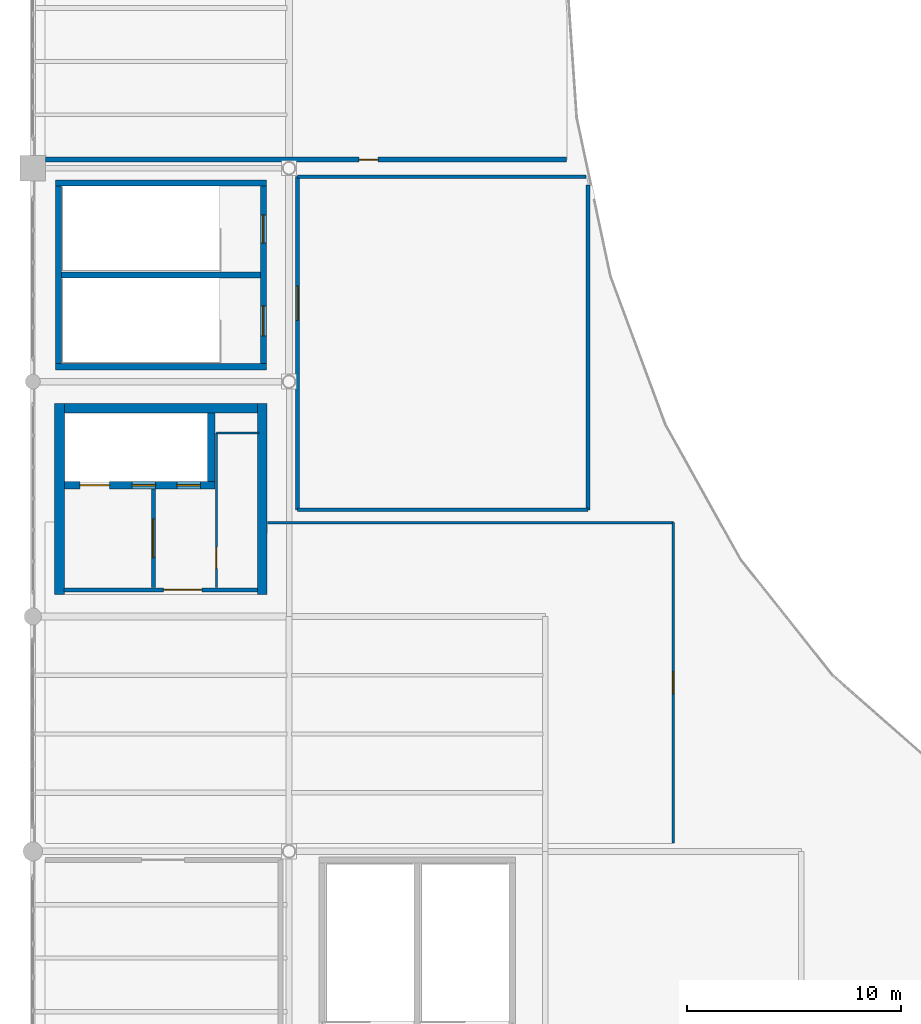
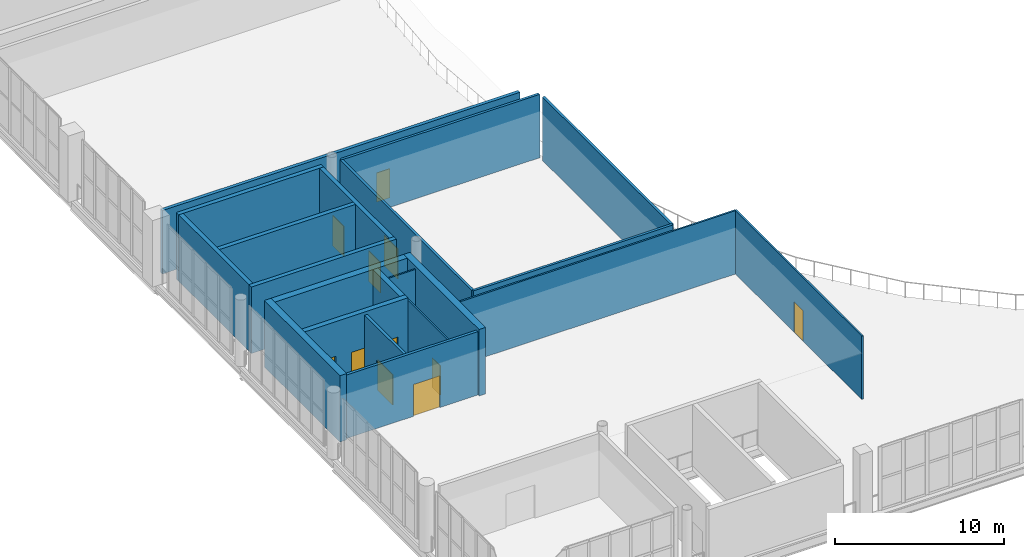
# One storey, part 37 of 49: 21 walls, 11 doors, 11 openings.
"""IFC4 building model written with IfcOpenShell, lengths in metres."""

from ifc_helpers import new_model, si_unit, direction, frame, frame_2d, origin, place, context, subcontext, project, spatial, rectangle, extrude, material, layer, layer_set, type_object, element, fill, save


model = new_model("IFC4")

# Units and contexts
model_context = context("Model", 3, precision=1e-05, world=origin(), true_north=direction((0.0, 1.0)))
body_context = subcontext(model_context, "Body", "Model", "MODEL_VIEW")
ifc_project = project(units=[si_unit("LENGTHUNIT", "METRE"), si_unit("AREAUNIT", "SQUARE_METRE"), si_unit("VOLUMEUNIT", "CUBIC_METRE"), si_unit("PLANEANGLEUNIT", "RADIAN"), si_unit("MASSUNIT", "GRAM", prefix="KILO")], contexts=[model_context])

# Site, building, storey
site_placement = place(None, origin())
site = spatial("IfcSite", under=ifc_project, at=site_placement, CompositionType="ELEMENT")
building_placement = place(site_placement, origin())
building = spatial("IfcBuilding", under=site, at=building_placement, Name="Brinegate Civic Arena", CompositionType="ELEMENT")
storey_placement = place(building_placement, frame((0.0, 0.0, 24.60009765625)))
storey = spatial("IfcBuildingStorey", under=building, at=storey_placement, Name="L05", CompositionType="ELEMENT", Elevation=24.60009765625)

# Wall, openings, doors
ifc_material_1 = material(Name="Concrete C50/60", Category="concrete")
ifc_layer_1 = layer(ifc_material_1, 0.35009765625, Name="Concrete C50/60")
ifc_layer_set_1 = layer_set([ifc_layer_1], Name="Concrete C50/60")
wall_type_1 = type_object("IfcWallType", Name="WALL-CORE-SHEAR-350", PredefinedType="SHEAR", material=ifc_layer_set_1)
wall_1_placement = place(storey_placement, frame((49.47509765625, 37.14990234375, 0.0), z_axis=(0.0, 0.0, 1.0), x_axis=(1.0, 0.0, 0.0)))
wall_1 = element("IfcWall", 1, at=wall_1_placement, inside=storey, type_object=wall_type_1, Name="Core K2 Lift Shaft Front Wall L05 (WBG-39)", PredefinedType="SHEAR", context=body_context, shape_type="SweptSolid", body=[
    extrude(rectangle(XDim=7.0498046875, YDim=0.35009765625, at=frame_2d((3.52490234375, 0.0))), origin(), (0.0, 0.0, 1.0), 4.7998046875),
])
opening_1_placement = place(wall_1_placement, frame((0.72509765625, 0.0, 0.0)))
opening_1 = element("IfcOpeningElement", 2, at=opening_1_placement, cuts=wall_1, Name="Opening LD-FL2-L05", PredefinedType="OPENING", context=body_context, shape_type="SweptSolid", body=[
    extrude(rectangle(XDim=1.39990234375, YDim=2.300048828125, at=frame_2d((0.699951171875, 1.14990234375))), frame((0.0, 0.18505859375, 0.0), z_axis=(0.0, -1.0, 0.0), x_axis=(1.0, 0.0, 0.0)), (0.0, 0.0, 1.0), 0.3701171875),
])
opening_2_placement = place(wall_1_placement, frame((3.175048828125, 0.0, 0.0)))
opening_2 = element("IfcOpeningElement", 3, at=opening_2_placement, cuts=wall_1, Name="Opening LD-PL3-L05", PredefinedType="OPENING", context=body_context, shape_type="SweptSolid", body=[
    extrude(rectangle(XDim=1.10009765625, YDim=2.199951171875, at=frame_2d((0.550048828125, 1.10009765625))), frame((0.0, 0.18505859375, 0.0), z_axis=(0.0, -1.0, 0.0), x_axis=(1.0, 0.0, 0.0)), (0.0, 0.0, 1.0), 0.3701171875),
])
opening_3_placement = place(wall_1_placement, frame((5.27490234375, 0.0, 0.0)))
opening_3 = element("IfcOpeningElement", 4, at=opening_3_placement, cuts=wall_1, Name="Opening LD-PL4-L05", PredefinedType="OPENING", context=body_context, shape_type="SweptSolid", body=[
    extrude(rectangle(XDim=1.10009765625, YDim=2.199951171875, at=frame_2d((0.550048828125, 1.10009765625))), frame((0.0, 0.18505859375, 0.0), z_axis=(0.0, -1.0, 0.0), x_axis=(1.0, 0.0, 0.0)), (0.0, 0.0, 1.0), 0.3701171875),
])
ifc_material_2 = material(Name="Architectural stainless steel balustrade", Category="steel")
door_type_1 = type_object("IfcDoorType", Name="DOOR-LIFT-1100X2200", OperationType="SLIDING_TO_LEFT", PredefinedType="DOOR", material=ifc_material_2)
door_1_placement = place(opening_2_placement, origin())
door_1 = element("IfcDoor", 5, at=door_1_placement, inside=storey, type_object=door_type_1, Name="Sliding Lift Landing Door LD-PL3-L05", OperationType="SLIDING_TO_LEFT", OverallHeight=2.199951171875, OverallWidth=1.10009765625, PredefinedType="DOOR", context=body_context, shape_type="SweptSolid", body=[
    extrude(rectangle(XDim=1.10009765625, YDim=2.199951171875, at=frame_2d((0.550048828125, 1.10009765625))), frame((0.0, 0.02490234375, 0.0), z_axis=(0.0, -1.0, 0.0), x_axis=(1.0, 0.0, 0.0)), (0.0, 0.0, 1.0), 0.050048828125),
])
fill(opening_2, door_1)
door_2_placement = place(opening_3_placement, origin())
door_2 = element("IfcDoor", 6, at=door_2_placement, inside=storey, type_object=door_type_1, Name="Sliding Lift Landing Door LD-PL4-L05", OperationType="SLIDING_TO_LEFT", OverallHeight=2.199951171875, OverallWidth=1.10009765625, PredefinedType="DOOR", context=body_context, shape_type="SweptSolid", body=[
    extrude(rectangle(XDim=1.10009765625, YDim=2.199951171875, at=frame_2d((0.550048828125, 1.10009765625))), frame((0.0, 0.02490234375, 0.0), z_axis=(0.0, -1.0, 0.0), x_axis=(1.0, 0.0, 0.0)), (0.0, 0.0, 1.0), 0.050048828125),
])
fill(opening_3, door_2)
door_type_2 = type_object("IfcDoorType", Name="DOOR-LIFT-1400X2300", OperationType="SLIDING_TO_LEFT", PredefinedType="DOOR", material=ifc_material_2)
door_3_placement = place(opening_1_placement, origin())
door_3 = element("IfcDoor", 7, at=door_3_placement, inside=storey, type_object=door_type_2, Name="Sliding Lift Landing Door LD-FL2-L05", OperationType="SLIDING_TO_LEFT", OverallHeight=2.300048828125, OverallWidth=1.39990234375, PredefinedType="DOOR", context=body_context, shape_type="SweptSolid", body=[
    extrude(rectangle(XDim=1.39990234375, YDim=2.300048828125, at=frame_2d((0.699951171875, 1.14990234375))), frame((0.0, 0.02490234375, 0.0), z_axis=(0.0, -1.0, 0.0), x_axis=(1.0, 0.0, 0.0)), (0.0, 0.0, 1.0), 0.050048828125),
])
fill(opening_1, door_3)

# Walls
wall_2_placement = place(storey_placement, frame((56.35009765625, 37.324951171875, 0.0), z_axis=(0.0, 0.0, 1.0), x_axis=(0.0, 1.0, 0.0)))
element("IfcWall", 8, at=wall_2_placement, inside=storey, type_object=wall_type_1, Name="Core K2 Lift Shaft End Wall L05 (WBG-40)", PredefinedType="SHEAR", context=body_context, shape_type="SweptSolid", body=[
    extrude(rectangle(XDim=3.199951171875, YDim=0.35009765625, at=frame_2d((1.60009765625, 0.0))), origin(), (0.0, 0.0, 1.0), 4.7998046875),
])
ifc_layer_2 = layer(ifc_material_1, 0.449951171875, Name="Concrete C50/60")
ifc_layer_set_2 = layer_set([ifc_layer_2], Name="Concrete C50/60")
wall_type_2 = type_object("IfcWallType", Name="WALL-CORE-SHEAR-450", PredefinedType="SHEAR", material=ifc_layer_set_2)
for number, where, z_axis, x_axis, name in (
    (9, (49.25, 32.02490234375, 0.0), (0.0, 0.0, 1.0), (0.0, 1.0, 0.0), "Core K2 West Shear Wall L05 (WBG-36)"),
    (10, (58.75, 32.02490234375, 0.0), (0.0, 0.0, 1.0), (0.0, 1.0, 0.0), "Core K2 East Shear Wall L05 (WBG-37)"),
):
    element("IfcWall", number, at=place(storey_placement, frame(where, z_axis=z_axis, x_axis=x_axis)), inside=storey, type_object=wall_type_2, Name=name, PredefinedType="SHEAR", context=body_context, shape_type="SweptSolid", body=[
        extrude(rectangle(XDim=8.9501953125, YDim=0.449951171875, at=frame_2d((4.47509765625, 0.0))), origin(), (0.0, 0.0, 1.0), 4.7998046875),
    ])
wall_3_placement = place(storey_placement, frame((49.47509765625, 40.75, 0.0), z_axis=(0.0, 0.0, 1.0), x_axis=(1.0, 0.0, 0.0)))
element("IfcWall", 11, at=wall_3_placement, inside=storey, type_object=wall_type_2, Name="Core K2 North Shear Wall L05 (WBG-38)", PredefinedType="SHEAR", context=body_context, shape_type="SweptSolid", body=[
    extrude(rectangle(XDim=9.0498046875, YDim=0.449951171875, at=frame_2d((4.52490234375, 0.0))), origin(), (0.0, 0.0, 1.0), 4.7998046875),
])

# Wall, opening, door
ifc_material_3 = material(Name="Concrete C40/50", Category="concrete")
ifc_layer_3 = layer(ifc_material_3, 0.22998046875, Name="Concrete C40/50")
ifc_layer_set_3 = layer_set([ifc_layer_3], Name="Concrete C40/50")
wall_type_3 = type_object("IfcWallType", Name="WALL-INT-SOLID-230", PredefinedType="SOLIDWALL", material=ifc_layer_set_3)
wall_4_placement = place(storey_placement, frame((73.0, 52.39990234375, 0.0), z_axis=(0.0, 0.0, 1.0), x_axis=(-1.0, 0.0, 0.0)))
wall_4 = element("IfcWall", 12, at=wall_4_placement, inside=storey, type_object=wall_type_3, Name="World Feed Television Broadcast Production Gallery Partition Wall E7 (WBK-50)", PredefinedType="SOLIDWALL", context=body_context, shape_type="SweptSolid", body=[
    extrude(rectangle(XDim=24.39990234375, YDim=0.22998046875, at=frame_2d((12.199951171875, 0.0))), origin(), (0.0, 0.0, 1.0), 4.579833984375),
])
opening_4_placement = place(wall_4_placement, frame((8.822021484375, 0.0, 0.0)))
opening_4 = element("IfcOpeningElement", 13, at=opening_4_placement, cuts=wall_4, Name="Opening D-L05-222", PredefinedType="OPENING", context=body_context, shape_type="SweptSolid", body=[
    extrude(rectangle(XDim=0.89990234375, YDim=2.10009765625, at=frame_2d((0.449951171875, 1.050048828125))), frame((0.0, 0.125, 0.0), z_axis=(0.0, -1.0, 0.0), x_axis=(1.0, 0.0, 0.0)), (0.0, 0.0, 1.0), 0.25),
])
ifc_material_4 = material(Name="Hardwood acoustic timber door", Category="wood")
door_type_3 = type_object("IfcDoorType", Name="DOOR-WC-900X2100", OperationType="NOTDEFINED", PredefinedType="DOOR", material=ifc_material_4)
door_4_placement = place(opening_4_placement, origin())
door_4 = element("IfcDoor", 14, at=door_4_placement, inside=storey, type_object=door_type_3, Name="World Feed Television Broadcast Production Gallery Door D-L05-222", OperationType="SINGLE_SWING_LEFT", OverallHeight=2.10009765625, OverallWidth=0.89990234375, PredefinedType="DOOR", context=body_context, shape_type="SweptSolid", body=[
    extrude(rectangle(XDim=0.89990234375, YDim=2.10009765625, at=frame_2d((0.449951171875, 1.050048828125))), frame((0.0, 0.02490234375, 0.0), z_axis=(0.0, -1.0, 0.0), x_axis=(1.0, 0.0, 0.0)), (0.0, 0.0, 1.0), 0.050048828125),
])
fill(opening_4, door_4)

ifc_material_5 = material(Name="Fire-rated gypsum partition assembly")
ifc_layer_4 = layer(ifc_material_5, 0.175048828125, Name="Fire-rated gypsum partition assembly")
ifc_layer_set_4 = layer_set([ifc_layer_4], Name="Fire-rated gypsum partition assembly")
wall_type_4 = type_object("IfcWallType", Name="WALL-PART-RATED-175", PredefinedType="PARTITIONING", material=ifc_layer_set_4)
wall_5_placement = place(storey_placement, frame((60.39990234375, 36.0, 0.0), z_axis=(0.0, 0.0, 1.0), x_axis=(0.0, 1.0, 0.0)))
wall_5 = element("IfcWall", 15, at=wall_5_placement, inside=storey, type_object=wall_type_4, Name="Arena Sound, Lighting and Scoreboard Control Room Partition Wall E1 (WBK-55)", PredefinedType="PARTITIONING", context=body_context, shape_type="SweptSolid", body=[
    extrude(rectangle(XDim=15.60009765625, YDim=0.175048828125, at=frame_2d((7.800048828125, 0.0))), origin(), (0.0, 0.0, 1.0), 4.579833984375),
])
opening_5_placement = place(wall_5_placement, frame((8.8720703125, 0.0, 0.0)))
opening_5 = element("IfcOpeningElement", 16, at=opening_5_placement, cuts=wall_5, Name="Opening D-L05-224", PredefinedType="OPENING", context=body_context, shape_type="SweptSolid", body=[
    extrude(rectangle(XDim=1.60009765625, YDim=2.199951171875, at=frame_2d((0.800048828125, 1.10009765625))), frame((0.0, 0.097412109375, 0.0), z_axis=(0.0, -1.0, 0.0), x_axis=(1.0, 0.0, 0.0)), (0.0, 0.0, 1.0), 0.195068359375),
])
door_type_4 = type_object("IfcDoorType", Name="DOOR-CLUB-1600X2200", OperationType="NOTDEFINED", PredefinedType="DOOR", material=ifc_material_4)
door_5_placement = place(opening_5_placement, origin())
door_5 = element("IfcDoor", 17, at=door_5_placement, inside=storey, type_object=door_type_4, Name="Arena Sound, Lighting and Scoreboard Control Room Door D-L05-224", OperationType="DOUBLE_DOOR_SINGLE_SWING", OverallHeight=2.199951171875, OverallWidth=1.60009765625, PredefinedType="DOOR", context=body_context, shape_type="SweptSolid", body=[
    extrude(rectangle(XDim=1.60009765625, YDim=2.199951171875, at=frame_2d((0.800048828125, 1.10009765625))), frame((0.0, 0.02490234375, 0.0), z_axis=(0.0, -1.0, 0.0), x_axis=(1.0, 0.0, 0.0)), (0.0, 0.0, 1.0), 0.050048828125),
])
fill(opening_5, door_5)

# Walls
wall_6_placement = place(storey_placement, frame((60.39990234375, 51.60009765625, 0.0), z_axis=(0.0, 0.0, 1.0), x_axis=(1.0, 0.0, 0.0)))
element("IfcWall", 18, at=wall_6_placement, inside=storey, type_object=wall_type_4, Name="Arena Sound, Lighting and Scoreboard Control Room Partition Wall E2 (WBK-56)", PredefinedType="PARTITIONING", context=body_context, shape_type="SweptSolid", body=[
    extrude(rectangle(XDim=13.51611328125, YDim=0.175048828125, at=frame_2d((6.758056640625, 0.0))), origin(), (0.0, 0.0, 1.0), 4.579833984375),
])
wall_7_placement = place(storey_placement, frame((74.0, 51.2041015625, 0.0), z_axis=(0.0, 0.0, 1.0), x_axis=(0.0, -1.0, 0.0)))
element("IfcWall", 19, at=wall_7_placement, inside=storey, type_object=wall_type_4, Name="Arena Sound, Lighting and Scoreboard Control Room Partition Wall E4 (WBK-57)", PredefinedType="PARTITIONING", context=body_context, shape_type="SweptSolid", body=[
    extrude(rectangle(XDim=15.2041015625, YDim=0.175048828125, at=frame_2d((7.60205078125, 0.0))), origin(), (0.0, 0.0, 1.0), 4.579833984375),
])
wall_8_placement = place(storey_placement, frame((74.0, 36.0, 0.0), z_axis=(0.0, 0.0, 1.0), x_axis=(-1.0, 0.0, 0.0)))
element("IfcWall", 20, at=wall_8_placement, inside=storey, type_object=wall_type_4, Name="Arena Sound, Lighting and Scoreboard Control Room Partition Wall E5 (WBK-58)", PredefinedType="PARTITIONING", context=body_context, shape_type="SweptSolid", body=[
    extrude(rectangle(XDim=13.60009765625, YDim=0.175048828125, at=frame_2d((6.800048828125, 0.0))), origin(), (0.0, 0.0, 1.0), 4.579833984375),
])

# Wall, opening, door
ifc_material_6 = material(Name="Concrete blockwork masonry", Category="masonry")
ifc_layer_5 = layer(ifc_material_6, 0.18994140625, Name="Concrete blockwork masonry")
ifc_layer_set_5 = layer_set([ifc_layer_5], Name="Concrete blockwork masonry")
wall_type_5 = type_object("IfcWallType", Name="WALL-PART-RATED-190", PredefinedType="PARTITIONING", material=ifc_layer_set_5)
wall_9_placement = place(storey_placement, frame((49.469970703125, 32.25, 0.0), z_axis=(0.0, 0.0, 1.0), x_axis=(1.0, 0.0, 0.0)))
wall_9 = element("IfcWall", 21, at=wall_9_placement, inside=storey, type_object=wall_type_5, Name="Core K2 Concourse Lobby Wall L05 (WBG-41)", PredefinedType="PARTITIONING", context=body_context, shape_type="SweptSolid", body=[
    extrude(rectangle(XDim=9.06005859375, YDim=0.18994140625, at=frame_2d((4.530029296875, 0.0))), origin(), (0.0, 0.0, 1.0), 4.579833984375),
])
opening_6_placement = place(wall_9_placement, frame((4.64990234375, 0.0, 0.0)))
opening_6 = element("IfcOpeningElement", 22, at=opening_6_placement, cuts=wall_9, Name="Opening D-K2L-L05", PredefinedType="OPENING", context=body_context, shape_type="SweptSolid", body=[
    extrude(rectangle(XDim=1.800048828125, YDim=2.300048828125, at=frame_2d((0.89990234375, 1.14990234375))), frame((0.0, 0.10498046875, 0.0), z_axis=(0.0, -1.0, 0.0), x_axis=(1.0, 0.0, 0.0)), (0.0, 0.0, 1.0), 0.2099609375),
])
ifc_material_7 = material(Name="Marine grade aluminium", Category="aluminium")
door_type_5 = type_object("IfcDoorType", Name="DOOR-CONC-1800X2300", OperationType="NOTDEFINED", PredefinedType="DOOR", material=ifc_material_7)
door_6_placement = place(opening_6_placement, origin())
door_6 = element("IfcDoor", 23, at=door_6_placement, inside=storey, type_object=door_type_5, Name="Lift Lobby Door D-K2L-L05", OperationType="DOUBLE_DOOR_SINGLE_SWING", OverallHeight=2.300048828125, OverallWidth=1.800048828125, PredefinedType="DOOR", context=body_context, shape_type="SweptSolid", body=[
    extrude(rectangle(XDim=1.800048828125, YDim=2.300048828125, at=frame_2d((0.89990234375, 1.14990234375))), frame((0.0, 0.02490234375, 0.0), z_axis=(0.0, -1.0, 0.0), x_axis=(1.0, 0.0, 0.0)), (0.0, 0.0, 1.0), 0.050048828125),
])
fill(opening_6, door_6)

wall_10_placement = place(storey_placement, frame((53.64990234375, 32.35009765625, 0.0), z_axis=(0.0, 0.0, 1.0), x_axis=(0.0, 1.0, 0.0)))
wall_10 = element("IfcWall", 24, at=wall_10_placement, inside=storey, type_object=wall_type_5, Name="Firefighting Lobby K2 Wall L05 (WBG-42)", PredefinedType="PARTITIONING", context=body_context, shape_type="SweptSolid", body=[
    extrude(rectangle(XDim=4.625, YDim=0.18994140625, at=frame_2d((2.3125, 0.0))), origin(), (0.0, 0.0, 1.0), 4.579833984375),
])
opening_7_placement = place(wall_10_placement, frame((1.4130859375, 0.0, 0.0)))
opening_7 = element("IfcOpeningElement", 25, at=opening_7_placement, cuts=wall_10, Name="Opening D-K2F-L05", PredefinedType="OPENING", context=body_context, shape_type="SweptSolid", body=[
    extrude(rectangle(XDim=1.800048828125, YDim=2.199951171875, at=frame_2d((0.89990234375, 1.10009765625))), frame((0.0, 0.10498046875, 0.0), z_axis=(0.0, -1.0, 0.0), x_axis=(1.0, 0.0, 0.0)), (0.0, 0.0, 1.0), 0.2099609375),
])
ifc_material_8 = material(Name="Galvanized hurricane steel", Category="steel")
door_type_6 = type_object("IfcDoorType", Name="DOOR-FFLOB-1800X2200", OperationType="NOTDEFINED", PredefinedType="DOOR", material=ifc_material_8)
door_7_placement = place(opening_7_placement, origin())
door_7 = element("IfcDoor", 26, at=door_7_placement, inside=storey, type_object=door_type_6, Name="Firefighting Lift Lobby Door D-K2F-L05", OperationType="DOUBLE_DOOR_SINGLE_SWING", OverallHeight=2.199951171875, OverallWidth=1.800048828125, PredefinedType="DOOR", context=body_context, shape_type="SweptSolid", body=[
    extrude(rectangle(XDim=1.800048828125, YDim=2.199951171875, at=frame_2d((0.89990234375, 1.10009765625))), frame((0.0, 0.02490234375, 0.0), z_axis=(0.0, -1.0, 0.0), x_axis=(1.0, 0.0, 0.0)), (0.0, 0.0, 1.0), 0.050048828125),
])
fill(opening_7, door_7)

# Wall
ifc_layer_6 = layer(ifc_material_5, 0.114990234375, Name="Fire-rated gypsum partition assembly")
ifc_layer_set_6 = layer_set([ifc_layer_6], Name="Fire-rated gypsum partition assembly")
wall_type_6 = type_object("IfcWallType", Name="WALL-PART-STD-115", PredefinedType="PARTITIONING", material=ifc_layer_set_6)
wall_11_placement = place(storey_placement, frame((59.0, 35.39990234375, 0.0), z_axis=(0.0, 0.0, 1.0), x_axis=(1.0, 0.0, 0.0)))
element("IfcWall", 27, at=wall_11_placement, inside=storey, type_object=wall_type_6, Name="South-West Broadcast Technical Studio Partition Wall E28 (WBK-66)", PredefinedType="PARTITIONING", context=body_context, shape_type="SweptSolid", body=[
    extrude(rectangle(XDim=19.0, YDim=0.114990234375, at=frame_2d((9.5, 0.0))), origin(), (0.0, 0.0, 1.0), 4.579833984375),
])

# Wall, opening, door
wall_12_placement = place(storey_placement, frame((78.0, 35.39990234375, 0.0), z_axis=(0.0, 0.0, 1.0), x_axis=(0.0, -1.0, 0.0)))
wall_12 = element("IfcWall", 28, at=wall_12_placement, inside=storey, type_object=wall_type_6, Name="South-West Broadcast Technical Studio Partition Wall E29 (WBK-67)", PredefinedType="PARTITIONING", context=body_context, shape_type="SweptSolid", body=[
    extrude(rectangle(XDim=15.0, YDim=0.114990234375, at=frame_2d((7.5, 0.0))), origin(), (0.0, 0.0, 1.0), 4.579833984375),
])
opening_8_placement = place(wall_12_placement, frame((6.97509765625, 0.0, 0.0)))
opening_8 = element("IfcOpeningElement", 29, at=opening_8_placement, cuts=wall_12, Name="Opening D-L05-228", PredefinedType="OPENING", context=body_context, shape_type="SweptSolid", body=[
    extrude(rectangle(XDim=1.050048828125, YDim=2.199951171875, at=frame_2d((0.52490234375, 1.10009765625))), frame((0.0, 0.0673828125, 0.0), z_axis=(0.0, -1.0, 0.0), x_axis=(1.0, 0.0, 0.0)), (0.0, 0.0, 1.0), 0.135009765625),
])
door_type_7 = type_object("IfcDoorType", Name="DOOR-SUITE-1050X2200", OperationType="NOTDEFINED", PredefinedType="DOOR", material=ifc_material_4)
door_8_placement = place(opening_8_placement, origin())
door_8 = element("IfcDoor", 30, at=door_8_placement, inside=storey, type_object=door_type_7, Name="South-West Broadcast Technical Studio Door D-L05-228", OperationType="SINGLE_SWING_RIGHT", OverallHeight=2.199951171875, OverallWidth=1.050048828125, PredefinedType="DOOR", context=body_context, shape_type="SweptSolid", body=[
    extrude(rectangle(XDim=1.050048828125, YDim=2.199951171875, at=frame_2d((0.52490234375, 1.10009765625))), frame((0.0, 0.02490234375, 0.0), z_axis=(0.0, -1.0, 0.0), x_axis=(1.0, 0.0, 0.0)), (0.0, 0.0, 1.0), 0.050048828125),
])
fill(opening_8, door_8)

ifc_layer_7 = layer(ifc_material_6, 0.10009765625, Name="Concrete blockwork masonry")
ifc_layer_set_7 = layer_set([ifc_layer_7], Name="Concrete blockwork masonry")
wall_type_7 = type_object("IfcWallType", Name="WALL-PART-WET-100", PredefinedType="PARTITIONING", material=ifc_layer_set_7)
wall_13_placement = place(storey_placement, frame((56.60009765625, 32.35009765625, 0.0), z_axis=(0.0, 0.0, 1.0), x_axis=(0.0, 1.0, 0.0)))
wall_13 = element("IfcWall", 31, at=wall_13_placement, inside=storey, type_object=wall_type_7, Name="Accessible WC K2 Partition L05 (WBG-43)", PredefinedType="PARTITIONING", context=body_context, shape_type="SweptSolid", body=[
    extrude(rectangle(XDim=7.25, YDim=0.10009765625, at=frame_2d((3.625, 0.0))), origin(), (0.0, 0.0, 1.0), 4.579833984375),
])
opening_9_placement = place(wall_13_placement, frame((0.89990234375, 0.0, 0.0)))
opening_9 = element("IfcOpeningElement", 32, at=opening_9_placement, cuts=wall_13, Name="Opening D-K2W-L05", PredefinedType="OPENING", context=body_context, shape_type="SweptSolid", body=[
    extrude(rectangle(XDim=1.0, YDim=2.10009765625, at=frame_2d((0.5, 1.050048828125))), frame((0.0, 0.06005859375, 0.0), z_axis=(0.0, -1.0, 0.0), x_axis=(1.0, 0.0, 0.0)), (0.0, 0.0, 1.0), 0.1201171875),
])
door_type_8 = type_object("IfcDoorType", Name="DOOR-AWC-1000X2100", OperationType="NOTDEFINED", PredefinedType="DOOR", material=ifc_material_4)
door_9_placement = place(opening_9_placement, origin())
door_9 = element("IfcDoor", 33, at=door_9_placement, inside=storey, type_object=door_type_8, Name="Accessible WC Door D-K2W-L05", OperationType="SINGLE_SWING_RIGHT", OverallHeight=2.10009765625, OverallWidth=1.0, PredefinedType="DOOR", context=body_context, shape_type="SweptSolid", body=[
    extrude(rectangle(XDim=1.0, YDim=2.10009765625, at=frame_2d((0.5, 1.050048828125))), frame((0.0, 0.02490234375, 0.0), z_axis=(0.0, -1.0, 0.0), x_axis=(1.0, 0.0, 0.0)), (0.0, 0.0, 1.0), 0.050048828125),
])
fill(opening_9, door_9)

# Walls
wall_14_placement = place(storey_placement, frame((56.60009765625, 39.60009765625, 0.0), z_axis=(0.0, 0.0, 1.0), x_axis=(1.0, 0.0, 0.0)))
element("IfcWall", 34, at=wall_14_placement, inside=storey, type_object=wall_type_7, Name="Accessible WC K2 Back Partition L05 (WBG-44)", PredefinedType="PARTITIONING", context=body_context, shape_type="SweptSolid", body=[
    extrude(rectangle(XDim=2.0, YDim=0.10009765625, at=frame_2d((1.0, 0.0))), origin(), (0.0, 0.0, 1.0), 4.579833984375),
])
ifc_layer_8 = layer(ifc_material_1, 0.2900390625, Name="Concrete C50/60")
ifc_layer_set_8 = layer_set([ifc_layer_8], Name="Concrete C50/60")
wall_type_8 = type_object("IfcWallType", Name="WALL-STAIR-SHEAR-290", PredefinedType="SHEAR", material=ifc_layer_set_8)
for number, where, z_axis, x_axis, name in (
    (35, (49.054931640625, 42.699951171875, 0.0), (0.0, 0.0, 1.0), (1.0, 0.0, 0.0), "Stair ST-08 South Shear Wall L05 (WBD-24)"),
    (36, (49.054931640625, 51.300048828125, 0.0), (0.0, 0.0, 1.0), (1.0, 0.0, 0.0), "Stair ST-08 North Shear Wall L05 (WBD-25)"),
):
    element("IfcWall", number, at=place(storey_placement, frame(where, z_axis=z_axis, x_axis=x_axis)), inside=storey, type_object=wall_type_8, Name=name, PredefinedType="SHEAR", context=body_context, shape_type="SweptSolid", body=[
        extrude(rectangle(XDim=9.89013671875, YDim=0.2900390625, at=frame_2d((4.945068359375, 0.0))), origin(), (0.0, 0.0, 1.0), 4.7998046875),
    ])
wall_15_placement = place(storey_placement, frame((49.199951171875, 42.844970703125, 0.0), z_axis=(0.0, 0.0, 1.0), x_axis=(0.0, 1.0, 0.0)))
element("IfcWall", 37, at=wall_15_placement, inside=storey, type_object=wall_type_8, Name="Stair ST-08 West Shear Wall L05 (WBD-26)", PredefinedType="SHEAR", context=body_context, shape_type="SweptSolid", body=[
    extrude(rectangle(XDim=8.31005859375, YDim=0.2900390625, at=frame_2d((4.155029296875, 0.0))), origin(), (0.0, 0.0, 1.0), 4.7998046875),
])

# Wall, openings, doors
wall_16_placement = place(storey_placement, frame((58.800048828125, 42.844970703125, 0.0), z_axis=(0.0, 0.0, 1.0), x_axis=(0.0, 1.0, 0.0)))
wall_16 = element("IfcWall", 38, at=wall_16_placement, inside=storey, type_object=wall_type_8, Name="Stair ST-08 East Shear Wall L05 (WBD-27)", PredefinedType="SHEAR", context=body_context, shape_type="SweptSolid", body=[
    extrude(rectangle(XDim=8.31005859375, YDim=0.2900390625, at=frame_2d((4.155029296875, 0.0))), origin(), (0.0, 0.0, 1.0), 4.7998046875),
])
opening_10_placement = place(wall_16_placement, frame((1.304931640625, 0.0, 0.0)))
opening_10 = element("IfcOpeningElement", 39, at=opening_10_placement, cuts=wall_16, Name="Opening D-ST08A-L05", PredefinedType="OPENING", context=body_context, shape_type="SweptSolid", body=[
    extrude(rectangle(XDim=1.39990234375, YDim=2.199951171875, at=frame_2d((0.699951171875, 1.10009765625))), frame((0.0, 0.155029296875, 0.0), z_axis=(0.0, -1.0, 0.0), x_axis=(1.0, 0.0, 0.0)), (0.0, 0.0, 1.0), 0.31005859375),
])
opening_11_placement = place(wall_16_placement, frame((5.64501953125, 0.0, 0.0)))
opening_11 = element("IfcOpeningElement", 40, at=opening_11_placement, cuts=wall_16, Name="Opening D-ST08B-L05", PredefinedType="OPENING", context=body_context, shape_type="SweptSolid", body=[
    extrude(rectangle(XDim=1.320068359375, YDim=2.199951171875, at=frame_2d((0.66015625, 1.10009765625))), frame((0.0, 0.155029296875, 0.0), z_axis=(0.0, -1.0, 0.0), x_axis=(1.0, 0.0, 0.0)), (0.0, 0.0, 1.0), 0.31005859375),
])
door_type_9 = type_object("IfcDoorType", Name="DOOR-STAIR-2200X2200", OperationType="NOTDEFINED", PredefinedType="DOOR", material=ifc_material_8)
door_10_placement = place(opening_11_placement, origin())
door_10 = element("IfcDoor", 41, at=door_10_placement, inside=storey, type_object=door_type_9, Name="Protected Exit Stair Door D-ST08B-L05", OperationType="DOUBLE_DOOR_SINGLE_SWING", OverallHeight=2.199951171875, OverallWidth=1.320068359375, PredefinedType="DOOR", context=body_context, shape_type="SweptSolid", body=[
    extrude(rectangle(XDim=1.320068359375, YDim=2.199951171875, at=frame_2d((0.66015625, 1.10009765625))), frame((0.0, 0.02490234375, 0.0), z_axis=(0.0, -1.0, 0.0), x_axis=(1.0, 0.0, 0.0)), (0.0, 0.0, 1.0), 0.050048828125),
])
fill(opening_11, door_10)
door_type_10 = type_object("IfcDoorType", Name="DOOR-STAIR-2400X2200", OperationType="NOTDEFINED", PredefinedType="DOOR", material=ifc_material_8)
door_11_placement = place(opening_10_placement, origin())
door_11 = element("IfcDoor", 42, at=door_11_placement, inside=storey, type_object=door_type_10, Name="Protected Exit Stair Door D-ST08A-L05", OperationType="DOUBLE_DOOR_SINGLE_SWING", OverallHeight=2.199951171875, OverallWidth=1.39990234375, PredefinedType="DOOR", context=body_context, shape_type="SweptSolid", body=[
    extrude(rectangle(XDim=1.39990234375, YDim=2.199951171875, at=frame_2d((0.699951171875, 1.10009765625))), frame((0.0, 0.02490234375, 0.0), z_axis=(0.0, -1.0, 0.0), x_axis=(1.0, 0.0, 0.0)), (0.0, 0.0, 1.0), 0.050048828125),
])
fill(opening_10, door_11)

# Wall
wall_17_placement = place(storey_placement, frame((49.344970703125, 47.0, 0.0), z_axis=(0.0, 0.0, 1.0), x_axis=(1.0, 0.0, 0.0)))
element("IfcWall", 43, at=wall_17_placement, inside=storey, type_object=wall_type_8, Name="Stair ST-08 Central Dividing Shear Wall L05 (WBD-28)", PredefinedType="SHEAR", context=body_context, shape_type="SweptSolid", body=[
    extrude(rectangle(XDim=9.31005859375, YDim=0.2900390625, at=frame_2d((4.655029296875, 0.0))), origin(), (0.0, 0.0, 1.0), 4.7998046875),
])

save(model, "model.ifc")
